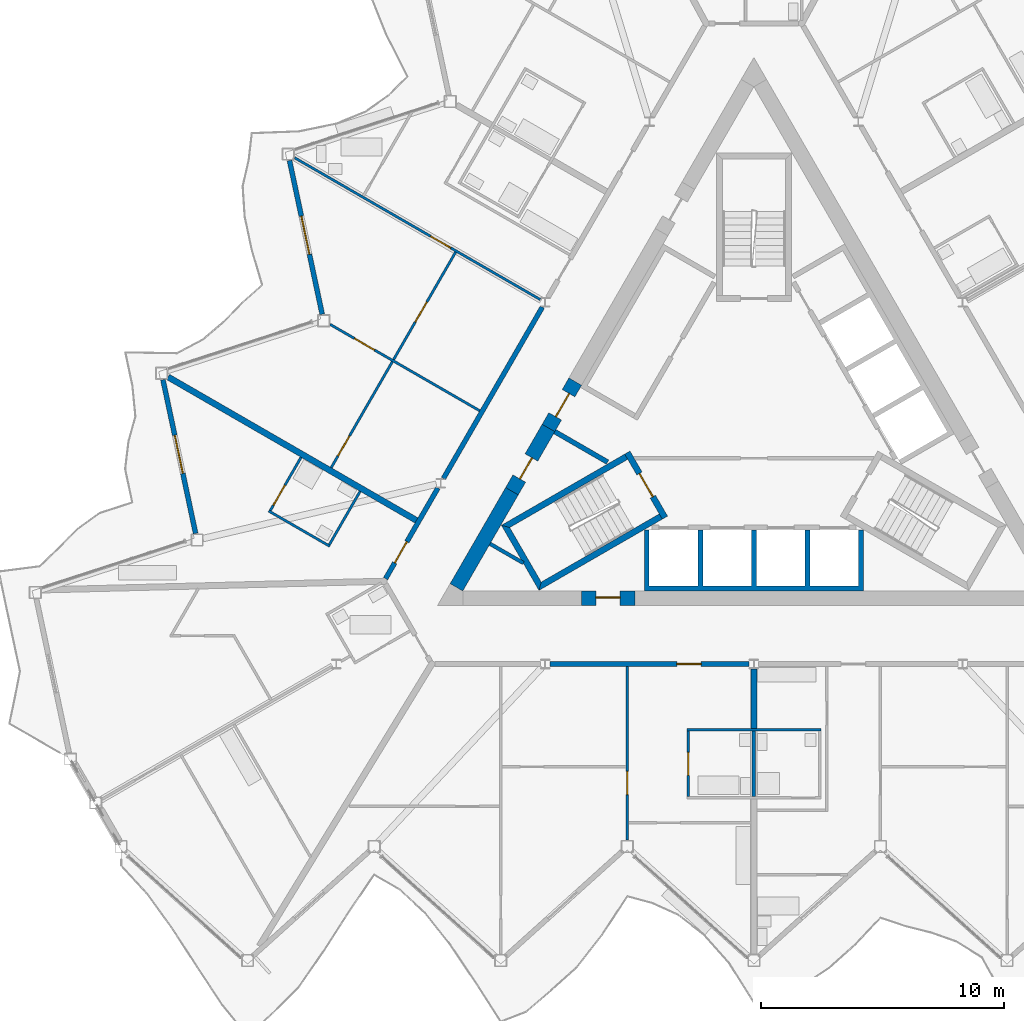
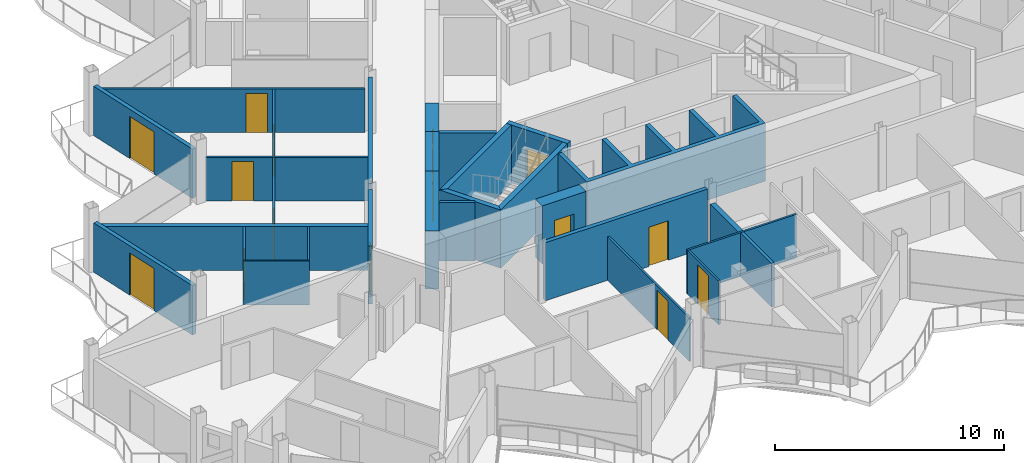
# One storey, part 13 of 26: 28 walls, 15 doors, 15 openings.
"""IFC4 building model written with IfcOpenShell, lengths in metres."""

from ifc_helpers import new_model, si_unit, direction, frame, frame_2d, origin, place, context, subcontext, project, spatial, polyline, rectangle, outline, extrude, material, layer, layer_set, type_object, element, fill, save


model = new_model("IFC4")

# Units and contexts
model_context = context("Model", 3, precision=1e-05, world=origin(), true_north=direction((0.0, 1.0)))
body_context = subcontext(model_context, "Body", "Model", "MODEL_VIEW")
ifc_project = project(units=[si_unit("LENGTHUNIT", "METRE"), si_unit("AREAUNIT", "SQUARE_METRE"), si_unit("VOLUMEUNIT", "CUBIC_METRE"), si_unit("PLANEANGLEUNIT", "RADIAN"), si_unit("MASSUNIT", "GRAM", prefix="KILO")], contexts=[model_context])

# Site, building, storey
site_placement = place(None, origin())
site = spatial("IfcSite", under=ifc_project, at=site_placement, CompositionType="ELEMENT")
building_placement = place(site_placement, origin())
building = spatial("IfcBuilding", under=site, at=building_placement, Name="Cormorant Prow Tower", CompositionType="ELEMENT")
storey_placement = place(building_placement, frame((0.0, 0.0, 398.39990234375)))
storey = spatial("IfcBuildingStorey", under=building, at=storey_placement, Name="L91", CompositionType="ELEMENT", Elevation=398.39990234375)

# Walls
ifc_material_1 = material(Name="Gypsum board partition")
ifc_layer_1 = layer(ifc_material_1, 0.14990234375)
ifc_layer_set_1 = layer_set([ifc_layer_1], Name="Gypsum board partition")
wall_type_1 = type_object("IfcWallType", Name="Core partition 150", PredefinedType="PARTITIONING", material=ifc_layer_set_1)
wall_1_placement = place(storey_placement, frame((-10.841796875, -4.96728515625, 0.0), z_axis=(0.0, 0.0, 1.0), x_axis=(0.866098216386, -0.499873863663, 0.0)))
element("IfcWall", 1, at=wall_1_placement, inside=storey, type_object=wall_type_1, Name="Service room partition", PredefinedType="PARTITIONING", context=body_context, shape_type="SweptSolid", body=[
    extrude(rectangle(XDim=1.58203125, YDim=0.14990234375, at=frame_2d((0.791015625, 0.0))), origin(), (0.0, 0.0, 1.0), 3.10009765625),
])
ifc_material_2 = material(Name="Concrete 8000 psi", Category="concrete")
ifc_layer_2 = layer(ifc_material_2, 0.60009765625)
ifc_layer_set_2 = layer_set([ifc_layer_2], Name="Concrete 8000 psi")
wall_type_2 = type_object("IfcWallType", Name="Core shear wall 600", PredefinedType="SHEAR", material=ifc_layer_set_2)
wall_2_placement = place(storey_placement, frame((-9.94091796875, -2.80712890625, 0.0), z_axis=(0.0, 0.0, 1.0), x_axis=(-0.500020646047, -0.866013483456, 0.0)))
element("IfcWall", 2, at=wall_2_placement, inside=storey, type_object=wall_type_2, Name="Core wall", PredefinedType="SHEAR", context=body_context, shape_type="SweptSolid", body=[
    extrude(rectangle(XDim=4.559326171875, YDim=0.60009765625, at=frame_2d((2.27978515625, 0.0))), origin(), (0.0, 0.0, 1.0), 3.10009765625),
])

# Wall, opening, door
wall_3_placement = place(storey_placement, frame((-7.09228515625, -7.20556640625, 0.0), z_axis=(0.0, 0.0, 1.0), x_axis=(1.0, 0.0, 0.0)))
wall_3 = element("IfcWall", 3, at=wall_3_placement, inside=storey, type_object=wall_type_2, Name="Core wall door panel", PredefinedType="SHEAR", context=body_context, shape_type="SweptSolid", body=[
    extrude(rectangle(XDim=2.2001953125, YDim=0.60009765625, at=frame_2d((1.10009765625, 0.0))), origin(), (0.0, 0.0, 1.0), 3.10009765625),
])
opening_1_placement = place(wall_3_placement, frame((0.60009765625, 0.0, 0.0)))
opening_1 = element("IfcOpeningElement", 4, at=opening_1_placement, cuts=wall_3, Name="Opening L91-C14", PredefinedType="OPENING", context=body_context, shape_type="SweptSolid", body=[
    extrude(rectangle(XDim=1.0, YDim=2.10009765625, at=frame_2d((0.5, 1.050048828125))), frame((0.0, 0.31005859375, 0.0), z_axis=(0.0, -1.0, 0.0), x_axis=(1.0, 0.0, 0.0)), (0.0, 0.0, 1.0), 0.6201171875),
])
ifc_material_3 = material(Name="Painted steel", Category="steel")
door_type_1 = type_object("IfcDoorType", Name="Service door 1000x2100", OperationType="NOTDEFINED", PredefinedType="DOOR", material=ifc_material_3)
door_1_placement = place(opening_1_placement, origin())
door_1 = element("IfcDoor", 5, at=door_1_placement, inside=storey, type_object=door_type_1, Name="Core door, Housekeeping store", OperationType="SINGLE_SWING_LEFT", OverallHeight=2.10009765625, OverallWidth=1.0, PredefinedType="DOOR", context=body_context, shape_type="SweptSolid", body=[
    extrude(rectangle(XDim=1.0, YDim=2.10009765625, at=frame_2d((0.5, 1.050048828125))), frame((0.0, 0.05517578125, 0.0), z_axis=(0.0, -1.0, 0.0), x_axis=(1.0, 0.0, 0.0)), (0.0, 0.0, 1.0), 0.050048828125),
])
fill(opening_1, door_1)

wall_4_placement = place(storey_placement, frame((-8.440185546875, -0.207763671875, 0.0), z_axis=(0.0, 0.0, 1.0), x_axis=(-0.499997052475, -0.866027105532, 0.0)))
wall_4 = element("IfcWall", 6, at=wall_4_placement, inside=storey, type_object=wall_type_2, Name="Core wall door panel", PredefinedType="SHEAR", context=body_context, shape_type="SweptSolid", body=[
    extrude(rectangle(XDim=3.00146484375, YDim=0.60009765625, at=frame_2d((1.500732421875, 0.0))), origin(), (0.0, 0.0, 1.0), 3.10009765625),
])
opening_2_placement = place(wall_4_placement, frame((1.39990234375, 0.0, 0.0)))
opening_2 = element("IfcOpeningElement", 7, at=opening_2_placement, cuts=wall_4, Name="Opening L91-C16", PredefinedType="OPENING", context=body_context, shape_type="SweptSolid", body=[
    extrude(rectangle(XDim=1.0, YDim=2.10009765625, at=frame_2d((0.5, 1.050048828125))), frame((0.0, 0.31005859375, 0.0), z_axis=(0.0, -1.0, 0.0), x_axis=(1.0, 0.0, 0.0)), (0.0, 0.0, 1.0), 0.6201171875),
])
door_2_placement = place(opening_2_placement, origin())
door_2 = element("IfcDoor", 8, at=door_2_placement, inside=storey, type_object=door_type_1, Name="Core door, Linen store", OperationType="SINGLE_SWING_RIGHT", OverallHeight=2.10009765625, OverallWidth=1.0, PredefinedType="DOOR", context=body_context, shape_type="SweptSolid", body=[
    extrude(rectangle(XDim=1.0, YDim=2.10009765625, at=frame_2d((0.5, 1.050048828125))), frame((0.0, 0.05517578125, 0.0), z_axis=(0.0, -1.0, 0.0), x_axis=(1.0, 0.0, 0.0)), (0.0, 0.0, 1.0), 0.050048828125),
])
fill(opening_2, door_2)

wall_5_placement = place(storey_placement, frame((-7.340087890625, 1.697509765625, 0.0), z_axis=(0.0, 0.0, 1.0), x_axis=(-0.50002983664, -0.866008176907, 0.0)))
wall_5 = element("IfcWall", 9, at=wall_5_placement, inside=storey, type_object=wall_type_2, Name="Core wall door panel", PredefinedType="SHEAR", context=body_context, shape_type="SweptSolid", body=[
    extrude(rectangle(XDim=2.199951171875, YDim=0.60009765625, at=frame_2d((1.10009765625, 0.0))), origin(), (0.0, 0.0, 1.0), 3.10009765625),
])
opening_3_placement = place(wall_5_placement, frame((0.550048828125, 0.0, 0.0)))
opening_3 = element("IfcOpeningElement", 10, at=opening_3_placement, cuts=wall_5, Name="Opening L91-C18", PredefinedType="OPENING", context=body_context, shape_type="SweptSolid", body=[
    extrude(rectangle(XDim=1.10009765625, YDim=2.10009765625, at=frame_2d((0.550048828125, 1.050048828125))), frame((0.0, 0.31005859375, 0.0), z_axis=(0.0, -1.0, 0.0), x_axis=(1.0, 0.0, 0.0)), (0.0, 0.0, 1.0), 0.6201171875),
])
ifc_material_4 = material(Name="Painted steel", Category="steel")
door_type_2 = type_object("IfcDoorType", Name="Core door 1100x2100", OperationType="NOTDEFINED", PredefinedType="DOOR", material=ifc_material_4)
door_3_placement = place(opening_3_placement, origin())
door_3 = element("IfcDoor", 11, at=door_3_placement, inside=storey, type_object=door_type_2, Name="Core door, lift lobby", OperationType="SINGLE_SWING_RIGHT", OverallHeight=2.10009765625, OverallWidth=1.10009765625, PredefinedType="DOOR", context=body_context, shape_type="SweptSolid", body=[
    extrude(rectangle(XDim=1.10009765625, YDim=2.10009765625, at=frame_2d((0.550048828125, 1.050048828125))), frame((0.0, 0.05517578125, 0.0), z_axis=(0.0, -1.0, 0.0), x_axis=(1.0, 0.0, 0.0)), (0.0, 0.0, 1.0), 0.050048828125),
])
fill(opening_3, door_3)

ifc_material_5 = material(Name="Gypsum board corridor wall")
ifc_layer_3 = layer(ifc_material_5, 0.199951171875)
ifc_layer_set_3 = layer_set([ifc_layer_3], Name="Gypsum board corridor wall")
wall_type_3 = type_object("IfcWallType", Name="Corridor wall 200", PredefinedType="PARTITIONING", material=ifc_layer_set_3)
wall_6_placement = place(storey_placement, frame((-8.381591796875, -9.905517578125, 0.0), z_axis=(0.0, 0.0, 1.0), x_axis=(1.0, 0.0, 0.0)))
wall_6 = element("IfcWall", 12, at=wall_6_placement, inside=storey, type_object=wall_type_3, Name="Corridor wall", PredefinedType="PARTITIONING", context=body_context, shape_type="SweptSolid", body=[
    extrude(rectangle(XDim=8.1845703125, YDim=0.199951171875, at=frame_2d((4.09228515625, 0.0))), origin(), (0.0, 0.0, 1.0), 3.10009765625),
])
opening_4_placement = place(wall_6_placement, frame((5.212646484375, 0.0, 0.0)))
opening_4 = element("IfcOpeningElement", 13, at=opening_4_placement, cuts=wall_6, Name="Opening L91-F01", PredefinedType="OPENING", context=body_context, shape_type="SweptSolid", body=[
    extrude(rectangle(XDim=1.0, YDim=2.10009765625, at=frame_2d((0.5, 1.050048828125))), frame((0.0, 0.10986328125, 0.0), z_axis=(0.0, -1.0, 0.0), x_axis=(1.0, 0.0, 0.0)), (0.0, 0.0, 1.0), 0.219970703125),
])
ifc_material_6 = material(Name="Timber door leaf", Category="wood")
door_type_3 = type_object("IfcDoorType", Name="Flat or room entrance door 1000x2100", OperationType="NOTDEFINED", PredefinedType="DOOR", material=ifc_material_6)
door_4_placement = place(opening_4_placement, origin())
door_4 = element("IfcDoor", 14, at=door_4_placement, inside=storey, type_object=door_type_3, Name="Living room door", OperationType="SINGLE_SWING_LEFT", OverallHeight=2.10009765625, OverallWidth=1.0, PredefinedType="DOOR", context=body_context, shape_type="SweptSolid", body=[
    extrude(rectangle(XDim=1.0, YDim=2.10009765625, at=frame_2d((0.5, 1.050048828125))), frame((0.0, 0.02490234375, 0.0), z_axis=(0.0, -1.0, 0.0), x_axis=(1.0, 0.0, 0.0)), (0.0, 0.0, 1.0), 0.050048828125),
])
fill(opening_4, door_4)

# Wall
wall_7_placement = place(storey_placement, frame((-12.75390625, -2.279296875, 0.0), z_axis=(0.0, 0.0, 1.0), x_axis=(0.500001682468, 0.866024432409, 0.0)))
element("IfcWall", 15, at=wall_7_placement, inside=storey, type_object=wall_type_3, Name="Corridor wall", PredefinedType="PARTITIONING", context=body_context, shape_type="SweptSolid", body=[
    extrude(rectangle(XDim=8.12353515625, YDim=0.199951171875, at=frame_2d((4.061767578125, 0.0))), origin(), (0.0, 0.0, 1.0), 3.10009765625),
])

# Wall, opening, door
wall_8_placement = place(storey_placement, frame((-15.13134765625, -6.397216796875, 0.0), z_axis=(0.0, 0.0, 1.0), x_axis=(0.499986217557, 0.866033360935, 0.0)))
wall_8 = element("IfcWall", 16, at=wall_8_placement, inside=storey, type_object=wall_type_3, Name="Corridor wall", PredefinedType="PARTITIONING", context=body_context, shape_type="SweptSolid", body=[
    extrude(rectangle(XDim=4.2998046875, YDim=0.199951171875, at=frame_2d((2.14990234375, 0.0))), origin(), (0.0, 0.0, 1.0), 3.10009765625),
])
opening_5_placement = place(wall_8_placement, frame((0.75, 0.0, 0.0)))
opening_5 = element("IfcOpeningElement", 17, at=opening_5_placement, cuts=wall_8, Name="Opening L91-F52", PredefinedType="OPENING", context=body_context, shape_type="SweptSolid", body=[
    extrude(rectangle(XDim=1.0, YDim=2.10009765625, at=frame_2d((0.5, 1.050048828125))), frame((0.0, 0.10986328125, 0.0), z_axis=(0.0, -1.0, 0.0), x_axis=(1.0, 0.0, 0.0)), (0.0, 0.0, 1.0), 0.219970703125),
])
door_5_placement = place(opening_5_placement, origin())
door_5 = element("IfcDoor", 18, at=door_5_placement, inside=storey, type_object=door_type_3, Name="Studio living, kitchen and sleeping room door", OperationType="SINGLE_SWING_RIGHT", OverallHeight=2.10009765625, OverallWidth=1.0, PredefinedType="DOOR", context=body_context, shape_type="SweptSolid", body=[
    extrude(rectangle(XDim=1.0, YDim=2.10009765625, at=frame_2d((0.5, 1.050048828125))), frame((0.0, 0.02490234375, 0.0), z_axis=(0.0, -1.0, 0.0), x_axis=(1.0, 0.0, 0.0)), (0.0, 0.0, 1.0), 0.050048828125),
])
fill(opening_5, door_5)

ifc_material_7 = material(Name="Gypsum board partition")
ifc_layer_4 = layer(ifc_material_7, 0.10009765625)
ifc_layer_set_4 = layer_set([ifc_layer_4], Name="Gypsum board partition")
wall_type_4 = type_object("IfcWallType", Name="Internal partition 100", PredefinedType="PARTITIONING", material=ifc_layer_set_4)
wall_9_placement = place(storey_placement, frame((-18.86865234375, 10.893798828125, 0.0), z_axis=(0.0, 0.0, 1.0), x_axis=(0.866023724155, -0.500002909193, 0.0)))
wall_9 = element("IfcWall", 19, at=wall_9_placement, inside=storey, type_object=wall_type_4, Name="Internal partition", PredefinedType="PARTITIONING", context=body_context, shape_type="SweptSolid", body=[
    extrude(rectangle(XDim=11.65478515625, YDim=0.10009765625, at=frame_2d((5.827392578125, 0.0))), origin(), (0.0, 0.0, 1.0), 2.330078125),
])
opening_6_placement = place(wall_9_placement, frame((6.452880859375, 0.0, 0.0)))
opening_6 = element("IfcOpeningElement", 20, at=opening_6_placement, cuts=wall_9, Name="Opening L91-F47", PredefinedType="OPENING", context=body_context, shape_type="SweptSolid", body=[
    extrude(rectangle(XDim=0.949951171875, YDim=2.10009765625, at=frame_2d((0.47509765625, 1.050048828125))), frame((0.0, 0.06005859375, 0.0), z_axis=(0.0, -1.0, 0.0), x_axis=(1.0, 0.0, 0.0)), (0.0, 0.0, 1.0), 0.1201171875),
])
ifc_material_8 = material(Name="Timber door leaf", Category="wood")
door_type_4 = type_object("IfcDoorType", Name="Bathroom door 950x2100", OperationType="NOTDEFINED", PredefinedType="DOOR", material=ifc_material_8)
door_6_placement = place(opening_6_placement, origin())
door_6 = element("IfcDoor", 21, at=door_6_placement, inside=storey, type_object=door_type_4, Name="Living room door", OperationType="SINGLE_SWING_RIGHT", OverallHeight=2.10009765625, OverallWidth=0.949951171875, PredefinedType="DOOR", context=body_context, shape_type="SweptSolid", body=[
    extrude(rectangle(XDim=0.949951171875, YDim=2.10009765625, at=frame_2d((0.47509765625, 1.050048828125))), frame((0.0, 0.02490234375, 0.0), z_axis=(0.0, -1.0, 0.0), x_axis=(1.0, 0.0, 0.0)), (0.0, 0.0, 1.0), 0.050048828125),
])
fill(opening_6, door_6)

# Wall, openings, doors
wall_10_placement = place(storey_placement, frame((-17.366455078125, -1.838134765625, 0.0), z_axis=(0.0, 0.0, 1.0), x_axis=(0.499998717582, 0.866026144187, 0.0)))
wall_10 = element("IfcWall", 22, at=wall_10_placement, inside=storey, type_object=wall_type_4, Name="Internal partition", PredefinedType="PARTITIONING", context=body_context, shape_type="SweptSolid", body=[
    extrude(rectangle(XDim=10.22509765625, YDim=0.10009765625, at=frame_2d((5.112548828125, 0.0))), origin(), (0.0, 0.0, 1.0), 2.330078125),
])
opening_7_placement = place(wall_10_placement, frame((6.906982421875, 0.0, 0.0)))
opening_7 = element("IfcOpeningElement", 23, at=opening_7_placement, cuts=wall_10, Name="Opening L91-F48", PredefinedType="OPENING", context=body_context, shape_type="SweptSolid", body=[
    extrude(rectangle(XDim=0.949951171875, YDim=2.10009765625, at=frame_2d((0.47509765625, 1.050048828125))), frame((0.0, 0.06005859375, 0.0), z_axis=(0.0, -1.0, 0.0), x_axis=(1.0, 0.0, 0.0)), (0.0, 0.0, 1.0), 0.1201171875),
])
opening_8_placement = place(wall_10_placement, frame((0.552490234375, 0.0, 0.0)))
opening_8 = element("IfcOpeningElement", 24, at=opening_8_placement, cuts=wall_10, Name="Opening L91-F50", PredefinedType="OPENING", context=body_context, shape_type="SweptSolid", body=[
    extrude(rectangle(XDim=0.949951171875, YDim=2.10009765625, at=frame_2d((0.47509765625, 1.050048828125))), frame((0.0, 0.06005859375, 0.0), z_axis=(0.0, -1.0, 0.0), x_axis=(1.0, 0.0, 0.0)), (0.0, 0.0, 1.0), 0.1201171875),
])
door_7_placement = place(opening_7_placement, origin())
door_7 = element("IfcDoor", 25, at=door_7_placement, inside=storey, type_object=door_type_4, Name="Bedroom door", OperationType="SINGLE_SWING_LEFT", OverallHeight=2.10009765625, OverallWidth=0.949951171875, PredefinedType="DOOR", context=body_context, shape_type="SweptSolid", body=[
    extrude(rectangle(XDim=0.949951171875, YDim=2.10009765625, at=frame_2d((0.47509765625, 1.050048828125))), frame((0.0, 0.02490234375, 0.0), z_axis=(0.0, -1.0, 0.0), x_axis=(1.0, 0.0, 0.0)), (0.0, 0.0, 1.0), 0.050048828125),
])
fill(opening_7, door_7)
door_8_placement = place(opening_8_placement, origin())
door_8 = element("IfcDoor", 26, at=door_8_placement, inside=storey, type_object=door_type_4, Name="Bedroom door", OperationType="SINGLE_SWING_LEFT", OverallHeight=2.10009765625, OverallWidth=0.949951171875, PredefinedType="DOOR", context=body_context, shape_type="SweptSolid", body=[
    extrude(rectangle(XDim=0.949951171875, YDim=2.10009765625, at=frame_2d((0.47509765625, 1.050048828125))), frame((0.0, 0.02490234375, 0.0), z_axis=(0.0, -1.0, 0.0), x_axis=(1.0, 0.0, 0.0)), (0.0, 0.0, 1.0), 0.050048828125),
])
fill(opening_8, door_8)

# Wall, opening, door
wall_11_placement = place(storey_placement, frame((-5.199951171875, -17.145751953125, 0.0), z_axis=(0.0, 0.0, 1.0), x_axis=(0.0, 1.0, 0.0)))
wall_11 = element("IfcWall", 27, at=wall_11_placement, inside=storey, type_object=wall_type_4, Name="Internal partition", PredefinedType="PARTITIONING", context=body_context, shape_type="SweptSolid", body=[
    extrude(rectangle(XDim=7.14013671875, YDim=0.10009765625, at=frame_2d((3.570068359375, 0.0))), origin(), (0.0, 0.0, 1.0), 2.330078125),
])
opening_9_placement = place(wall_11_placement, frame((1.875732421875, 0.0, 0.0)))
opening_9 = element("IfcOpeningElement", 28, at=opening_9_placement, cuts=wall_11, Name="Opening L91-F04", PredefinedType="OPENING", context=body_context, shape_type="SweptSolid", body=[
    extrude(rectangle(XDim=0.949951171875, YDim=2.10009765625, at=frame_2d((0.47509765625, 1.050048828125))), frame((0.0, 0.06005859375, 0.0), z_axis=(0.0, -1.0, 0.0), x_axis=(1.0, 0.0, 0.0)), (0.0, 0.0, 1.0), 0.1201171875),
])
door_9_placement = place(opening_9_placement, origin())
door_9 = element("IfcDoor", 29, at=door_9_placement, inside=storey, type_object=door_type_4, Name="Living room door", OperationType="SINGLE_SWING_RIGHT", OverallHeight=2.10009765625, OverallWidth=0.949951171875, PredefinedType="DOOR", context=body_context, shape_type="SweptSolid", body=[
    extrude(rectangle(XDim=0.949951171875, YDim=2.10009765625, at=frame_2d((0.47509765625, 1.050048828125))), frame((0.0, 0.02490234375, 0.0), z_axis=(0.0, -1.0, 0.0), x_axis=(1.0, 0.0, 0.0)), (0.0, 0.0, 1.0), 0.050048828125),
])
fill(opening_9, door_9)

wall_12_placement = place(storey_placement, frame((-17.413818359375, 4.04931640625, 0.0), z_axis=(0.0, 0.0, 1.0), x_axis=(0.866033839264, -0.499985389037, 0.0)))
wall_12 = element("IfcWall", 30, at=wall_12_placement, inside=storey, type_object=wall_type_4, Name="Internal partition", PredefinedType="PARTITIONING", context=body_context, shape_type="SweptSolid", body=[
    extrude(rectangle(XDim=7.099853515625, YDim=0.10009765625, at=frame_2d((3.5498046875, 0.0))), origin(), (0.0, 0.0, 1.0), 2.330078125),
])
opening_10_placement = place(wall_12_placement, frame((1.157958984375, 0.0, 0.0)))
opening_10 = element("IfcOpeningElement", 31, at=opening_10_placement, cuts=wall_12, Name="Opening L91-F49", PredefinedType="OPENING", context=body_context, shape_type="SweptSolid", body=[
    extrude(rectangle(XDim=0.949951171875, YDim=2.10009765625, at=frame_2d((0.47509765625, 1.050048828125))), frame((0.0, 0.06005859375, 0.0), z_axis=(0.0, -1.0, 0.0), x_axis=(1.0, 0.0, 0.0)), (0.0, 0.0, 1.0), 0.1201171875),
])
door_10_placement = place(opening_10_placement, origin())
door_10 = element("IfcDoor", 32, at=door_10_placement, inside=storey, type_object=door_type_4, Name="Bedroom door", OperationType="SINGLE_SWING_RIGHT", OverallHeight=2.10009765625, OverallWidth=0.949951171875, PredefinedType="DOOR", context=body_context, shape_type="SweptSolid", body=[
    extrude(rectangle(XDim=0.949951171875, YDim=2.10009765625, at=frame_2d((0.47509765625, 1.050048828125))), frame((0.0, 0.02490234375, 0.0), z_axis=(0.0, -1.0, 0.0), x_axis=(1.0, 0.0, 0.0)), (0.0, 0.0, 1.0), 0.050048828125),
])
fill(opening_10, door_10)

# Walls
wall_13_placement = place(storey_placement, frame((-2.75, -12.605712890625, 0.0), z_axis=(0.0, 0.0, 1.0), x_axis=(1.0, 0.0, 0.0)))
element("IfcWall", 33, at=wall_13_placement, inside=storey, type_object=wall_type_4, Name="Internal partition", PredefinedType="PARTITIONING", context=body_context, shape_type="SweptSolid", body=[
    extrude(rectangle(XDim=5.5, YDim=0.10009765625, at=frame_2d((2.75, 0.0))), origin(), (0.0, 0.0, 1.0), 2.330078125),
])
wall_14_placement = place(storey_placement, frame((-19.934814453125, -3.6171875, 0.0), z_axis=(0.0, 0.0, 1.0), x_axis=(0.866032775405, -0.499987231761, 0.0)))
element("IfcWall", 34, at=wall_14_placement, inside=storey, type_object=wall_type_4, Name="Internal partition", PredefinedType="PARTITIONING", context=body_context, shape_type="SweptSolid", body=[
    extrude(rectangle(XDim=2.89990234375, YDim=0.10009765625, at=frame_2d((1.449951171875, 0.0))), origin(), (0.0, 0.0, 1.0), 2.330078125),
])

# Wall, opening, door
wall_15_placement = place(storey_placement, frame((-2.699951171875, -15.355712890625, 0.0), z_axis=(0.0, 0.0, 1.0), x_axis=(0.0, 1.0, 0.0)))
wall_15 = element("IfcWall", 35, at=wall_15_placement, inside=storey, type_object=wall_type_4, Name="Internal partition", PredefinedType="PARTITIONING", context=body_context, shape_type="SweptSolid", body=[
    extrude(rectangle(XDim=2.7001953125, YDim=0.10009765625, at=frame_2d((1.35009765625, 0.0))), origin(), (0.0, 0.0, 1.0), 2.330078125),
])
opening_11_placement = place(wall_15_placement, frame((0.875, 0.0, 0.0)))
opening_11 = element("IfcOpeningElement", 36, at=opening_11_placement, cuts=wall_15, Name="Opening L91-F02", PredefinedType="OPENING", context=body_context, shape_type="SweptSolid", body=[
    extrude(rectangle(XDim=0.949951171875, YDim=2.10009765625, at=frame_2d((0.47509765625, 1.050048828125))), frame((0.0, 0.06005859375, 0.0), z_axis=(0.0, -1.0, 0.0), x_axis=(1.0, 0.0, 0.0)), (0.0, 0.0, 1.0), 0.1201171875),
])
door_11_placement = place(opening_11_placement, origin())
door_11 = element("IfcDoor", 37, at=door_11_placement, inside=storey, type_object=door_type_4, Name="Living room door", OperationType="SINGLE_SWING_LEFT", OverallHeight=2.10009765625, OverallWidth=0.949951171875, PredefinedType="DOOR", context=body_context, shape_type="SweptSolid", body=[
    extrude(rectangle(XDim=0.949951171875, YDim=2.10009765625, at=frame_2d((0.47509765625, 1.050048828125))), frame((0.0, 0.02490234375, 0.0), z_axis=(0.0, -1.0, 0.0), x_axis=(1.0, 0.0, 0.0)), (0.0, 0.0, 1.0), 0.050048828125),
])
fill(opening_11, door_11)

# Wall
wall_16_placement = place(storey_placement, frame((-17.441650390625, -4.998779296875, 0.0), z_axis=(0.0, 0.0, 1.0), x_axis=(0.499976333282, 0.866039067339, 0.0)))
element("IfcWall", 38, at=wall_16_placement, inside=storey, type_object=wall_type_4, Name="Internal partition", PredefinedType="PARTITIONING", context=body_context, shape_type="SweptSolid", body=[
    extrude(rectangle(XDim=2.52490234375, YDim=0.10009765625, at=frame_2d((1.262451171875, 0.0))), origin(), (0.0, 0.0, 1.0), 2.330078125),
])

# Wall, opening, door
wall_17_placement = place(storey_placement, frame((-19.86669921875, -3.598876953125, 0.0), z_axis=(0.0, 0.0, 1.0), x_axis=(0.500048846702, 0.865997200291, 0.0)))
wall_17 = element("IfcWall", 39, at=wall_17_placement, inside=storey, type_object=wall_type_4, Name="Internal partition", PredefinedType="PARTITIONING", context=body_context, shape_type="SweptSolid", body=[
    extrude(rectangle(XDim=2.525146484375, YDim=0.10009765625, at=frame_2d((1.2626953125, 0.0))), origin(), (0.0, 0.0, 1.0), 2.330078125),
])
opening_12_placement = place(wall_17_placement, frame((0.25, 0.0, 0.0)))
opening_12 = element("IfcOpeningElement", 40, at=opening_12_placement, cuts=wall_17, Name="Opening L91-F53", PredefinedType="OPENING", context=body_context, shape_type="SweptSolid", body=[
    extrude(rectangle(XDim=0.949951171875, YDim=2.10009765625, at=frame_2d((0.47509765625, 1.050048828125))), frame((0.0, 0.06005859375, 0.0), z_axis=(0.0, -1.0, 0.0), x_axis=(1.0, 0.0, 0.0)), (0.0, 0.0, 1.0), 0.1201171875),
])
door_12_placement = place(opening_12_placement, origin())
door_12 = element("IfcDoor", 41, at=door_12_placement, inside=storey, type_object=door_type_4, Name="Studio living, kitchen and sleeping room door", OperationType="SINGLE_SWING_LEFT", OverallHeight=2.10009765625, OverallWidth=0.949951171875, PredefinedType="DOOR", context=body_context, shape_type="SweptSolid", body=[
    extrude(rectangle(XDim=0.949951171875, YDim=2.10009765625, at=frame_2d((0.47509765625, 1.050048828125))), frame((0.0, 0.02490234375, 0.0), z_axis=(0.0, -1.0, 0.0), x_axis=(1.0, 0.0, 0.0)), (0.0, 0.0, 1.0), 0.050048828125),
])
fill(opening_12, door_12)

# Walls
ifc_material_9 = material(Name="Concrete 8000 psi", Category="concrete")
ifc_layer_5 = layer(ifc_material_9, 0.199951171875)
ifc_layer_set_5 = layer_set([ifc_layer_5], Name="Concrete 8000 psi")
wall_type_5 = type_object("IfcWallType", Name="Lift shaft wall 200", PredefinedType="SHEAR", material=ifc_layer_set_5)
wall_18_placement = place(storey_placement, origin())
element("IfcWall", 42, at=wall_18_placement, inside=storey, type_object=wall_type_5, Name="Lift shaft walls, S block", PredefinedType="SHEAR", context=body_context, shape_type="SweptSolid", body=[
    extrude(outline(polyline([(4.5, -4.39990234375), (4.5, -6.906005859375), (-4.5, -6.906005859375), (-4.5, -4.39990234375), (-4.300048828125, -4.39990234375), (-4.300048828125, -6.699951171875), (-2.300048828125, -6.699951171875), (-2.300048828125, -4.39990234375), (-2.10009765625, -4.39990234375), (-2.10009765625, -6.699951171875), (-0.10009765625, -6.699951171875), (-0.10009765625, -4.39990234375), (0.10009765625, -4.39990234375), (0.10009765625, -6.699951171875), (2.10009765625, -6.699951171875), (2.10009765625, -4.39990234375), (2.300048828125, -4.39990234375), (2.300048828125, -6.699951171875), (4.300048828125, -6.699951171875), (4.300048828125, -4.39990234375), (4.5, -4.39990234375)])), origin(), (0.0, 0.0, 1.0), 3.10009765625),
])
wall_19_placement = place(storey_placement, origin())
element("IfcWall", 43, at=wall_19_placement, inside=storey, type_object=wall_type_5, Name="Lift shaft walls, WNW block", PredefinedType="SHEAR", context=body_context, shape_type="SweptSolid", body=[
    extrude(outline(polyline([(-6.060546875, -1.697021484375), (-8.230712890625, -0.444091796875), (-8.130859375, -0.27099609375), (-5.96044921875, -1.52392578125), (-6.060546875, -1.697021484375)])), origin(), (0.0, 0.0, 1.0), 3.10009765625),
])
ifc_material_10 = material(Name="Concrete 8000 psi", Category="concrete")
ifc_layer_6 = layer(ifc_material_10, 0.25)
ifc_layer_set_6 = layer_set([ifc_layer_6], Name="Concrete 8000 psi")
wall_type_6 = type_object("IfcWallType", Name="Stair wall 250", PredefinedType="SHEAR", material=ifc_layer_set_6)
wall_20_placement = place(storey_placement, origin())
element("IfcWall", 44, at=wall_20_placement, inside=storey, type_object=wall_type_6, Name="Stair ST1 enclosure wall (flank)", PredefinedType="SHEAR", context=body_context, shape_type="SweptSolid", body=[
    extrude(outline(polyline([(-5.30712890625, -1.28125), (-10.37353515625, -4.206298828125), (-10.031982421875, -4.2978515625), (-5.18212890625, -1.497802734375), (-5.30712890625, -1.28125)])), origin(), (0.0, 0.0, 1.0), 3.10009765625),
])
wall_21_placement = place(storey_placement, origin())
element("IfcWall", 45, at=wall_21_placement, inside=storey, type_object=wall_type_6, Name="Stair ST1 enclosure wall (end)", PredefinedType="SHEAR", context=body_context, shape_type="SweptSolid", body=[
    extrude(outline(polyline([(-10.37353515625, -4.206298828125), (-8.82958984375, -6.880615234375), (-8.738037109375, -6.5390625), (-10.031982421875, -4.2978515625), (-10.37353515625, -4.206298828125)])), origin(), (0.0, 0.0, 1.0), 3.10009765625),
])
wall_22_placement = place(storey_placement, origin())
element("IfcWall", 46, at=wall_22_placement, inside=storey, type_object=wall_type_6, Name="Stair ST1 enclosure wall (flank)", PredefinedType="SHEAR", context=body_context, shape_type="SweptSolid", body=[
    extrude(outline(polyline([(-8.738037109375, -6.5390625), (-8.82958984375, -6.880615234375), (-3.76318359375, -3.95556640625), (-3.88818359375, -3.739013671875), (-8.738037109375, -6.5390625)])), origin(), (0.0, 0.0, 1.0), 3.10009765625),
])

# Wall, opening, door
wall_23_placement = place(storey_placement, frame((-5.198974609375, -1.21875, 0.0), z_axis=(0.0, 0.0, 1.0), x_axis=(0.499982516597, -0.866035497597, 0.0)))
wall_23 = element("IfcWall", 47, at=wall_23_placement, inside=storey, type_object=wall_type_6, Name="Stair ST1 door wall", PredefinedType="SHEAR", context=body_context, shape_type="SweptSolid", body=[
    extrude(rectangle(XDim=3.087890625, YDim=0.25, at=frame_2d((1.5439453125, 0.0))), origin(), (0.0, 0.0, 1.0), 3.10009765625),
])
opening_13_placement = place(wall_23_placement, frame((0.993896484375, 0.0, 0.0)))
opening_13 = element("IfcOpeningElement", 48, at=opening_13_placement, cuts=wall_23, Name="Opening L91-C11", PredefinedType="OPENING", context=body_context, shape_type="SweptSolid", body=[
    extrude(rectangle(XDim=1.10009765625, YDim=2.10009765625, at=frame_2d((0.550048828125, 1.050048828125))), frame((0.0, 0.135009765625, 0.0), z_axis=(0.0, -1.0, 0.0), x_axis=(1.0, 0.0, 0.0)), (0.0, 0.0, 1.0), 0.27001953125),
])
ifc_material_11 = material(Name="Painted steel", Category="steel")
door_type_5 = type_object("IfcDoorType", Name="Stair door 1100x2100", OperationType="NOTDEFINED", PredefinedType="DOOR", material=ifc_material_11)
door_13_placement = place(opening_13_placement, origin())
door_13 = element("IfcDoor", 49, at=door_13_placement, inside=storey, type_object=door_type_5, Name="Stair ST1 door", OperationType="SINGLE_SWING_LEFT", OverallHeight=2.10009765625, OverallWidth=1.10009765625, PredefinedType="DOOR", context=body_context, shape_type="SweptSolid", body=[
    extrude(rectangle(XDim=1.10009765625, YDim=2.10009765625, at=frame_2d((0.550048828125, 1.050048828125))), frame((0.0, 0.02490234375, 0.0), z_axis=(0.0, -1.0, 0.0), x_axis=(1.0, 0.0, 0.0)), (0.0, 0.0, 1.0), 0.050048828125),
])
fill(opening_13, door_13)

# Walls
ifc_material_12 = material(Name="Acoustic gypsum party wall")
ifc_layer_7 = layer(ifc_material_12, 0.25)
ifc_layer_set_7 = layer_set([ifc_layer_7], Name="Acoustic gypsum party wall")
wall_type_7 = type_object("IfcWallType", Name="Suite party wall 250", PredefinedType="PARTITIONING", material=ifc_layer_set_7)
wall_24_placement = place(storey_placement, frame((-24.068603515625, 1.88720703125, 0.0), z_axis=(0.0, 0.0, 1.0), x_axis=(0.866023404247, -0.500003463284, 0.0)))
element("IfcWall", 50, at=wall_24_placement, inside=storey, type_object=wall_type_7, Name="Suite party wall", PredefinedType="PARTITIONING", context=body_context, shape_type="SweptSolid", body=[
    extrude(rectangle(XDim=11.7822265625, YDim=0.25, at=frame_2d((5.89111328125, 0.0))), origin(), (0.0, 0.0, 1.0), 2.330078125),
])
wall_25_placement = place(storey_placement, frame((0.0, -12.5556640625, 0.0), z_axis=(0.0, 0.0, 1.0), x_axis=(0.0, 1.0, 0.0)))
element("IfcWall", 51, at=wall_25_placement, inside=storey, type_object=wall_type_7, Name="Suite party wall", PredefinedType="PARTITIONING", context=body_context, shape_type="SweptSolid", body=[
    extrude(rectangle(XDim=2.453125, YDim=0.25, at=frame_2d((1.2265625, 0.0))), origin(), (0.0, 0.0, 1.0), 2.330078125),
])

# Wall, opening, door
ifc_material_13 = material(Name="Terracotta", Category="masonry")
ifc_layer_8 = layer(ifc_material_13, 0.199951171875)
ifc_layer_set_8 = layer_set([ifc_layer_8], Name="Terracotta")
wall_type_8 = type_object("IfcWallType", Name="Terracotta jamb wall 200", PredefinedType="SOLIDWALL", material=ifc_layer_set_8)
wall_26_placement = place(storey_placement, frame((-19.07861328125, 10.7783203125, 0.0), z_axis=(0.0, 0.0, 1.0), x_axis=(0.207888166349, -0.978152600718, 0.0)))
wall_26 = element("IfcWall", 52, at=wall_26_placement, inside=storey, type_object=wall_type_8, Name="Terracotta jamb wall WNW05", PredefinedType="SOLIDWALL", context=body_context, shape_type="SweptSolid", body=[
    extrude(rectangle(XDim=6.453125, YDim=0.199951171875, at=frame_2d((3.2265625, 0.0))), origin(), (0.0, 0.0, 1.0), 2.634033203125),
])
opening_14_placement = place(wall_26_placement, frame((2.332763671875, 0.0, 0.0)))
opening_14 = element("IfcOpeningElement", 53, at=opening_14_placement, cuts=wall_26, Name="Opening ED91.13", PredefinedType="OPENING", context=body_context, shape_type="SweptSolid", body=[
    extrude(rectangle(XDim=1.60009765625, YDim=2.25, at=frame_2d((0.800048828125, 1.125))), frame((0.0, 0.10986328125, 0.0), z_axis=(0.0, -1.0, 0.0), x_axis=(1.0, 0.0, 0.0)), (0.0, 0.0, 1.0), 0.219970703125),
])
ifc_material_14 = material(Name="Aluminium 6063-T6", Category="aluminium")
door_type_6 = type_object("IfcDoorType", Name="Balcony door 1600x2250", OperationType="DOUBLE_DOOR_SINGLE_SWING", PredefinedType="DOOR", material=ifc_material_14)
door_14_placement = place(opening_14_placement, origin())
door_14 = element("IfcDoor", 54, at=door_14_placement, inside=storey, type_object=door_type_6, Name="Balcony door WNW05 ED91.13", OperationType="DOUBLE_DOOR_SINGLE_SWING", OverallHeight=2.25, OverallWidth=1.60009765625, PredefinedType="DOOR", context=body_context, shape_type="SweptSolid", body=[
    extrude(rectangle(XDim=1.60009765625, YDim=2.25, at=frame_2d((0.800048828125, 1.125))), frame((0.0, 0.02490234375, 0.0), z_axis=(0.0, -1.0, 0.0), x_axis=(1.0, 0.0, 0.0)), (0.0, 0.0, 1.0), 0.050048828125),
])
fill(opening_14, door_14)

wall_27_placement = place(storey_placement, frame((-24.27880859375, 1.771728515625, 0.0), z_axis=(0.0, 0.0, 1.0), x_axis=(0.207924363149, -0.978144907061, 0.0)))
wall_27 = element("IfcWall", 55, at=wall_27_placement, inside=storey, type_object=wall_type_8, Name="Terracotta jamb wall WNW07", PredefinedType="SOLIDWALL", context=body_context, shape_type="SweptSolid", body=[
    extrude(rectangle(XDim=6.453369140625, YDim=0.199951171875, at=frame_2d((3.2265625, 0.0))), origin(), (0.0, 0.0, 1.0), 2.634033203125),
])
opening_15_placement = place(wall_27_placement, frame((2.332763671875, 0.0, 0.0)))
opening_15 = element("IfcOpeningElement", 56, at=opening_15_placement, cuts=wall_27, Name="Opening ED91.14", PredefinedType="OPENING", context=body_context, shape_type="SweptSolid", body=[
    extrude(rectangle(XDim=1.60009765625, YDim=2.25, at=frame_2d((0.800048828125, 1.125))), frame((0.0, 0.10986328125, 0.0), z_axis=(0.0, -1.0, 0.0), x_axis=(1.0, 0.0, 0.0)), (0.0, 0.0, 1.0), 0.219970703125),
])
door_15_placement = place(opening_15_placement, origin())
door_15 = element("IfcDoor", 57, at=door_15_placement, inside=storey, type_object=door_type_6, Name="Balcony door WNW07 ED91.14", OperationType="DOUBLE_DOOR_SINGLE_SWING", OverallHeight=2.25, OverallWidth=1.60009765625, PredefinedType="DOOR", context=body_context, shape_type="SweptSolid", body=[
    extrude(rectangle(XDim=1.60009765625, YDim=2.25, at=frame_2d((0.800048828125, 1.125))), frame((0.0, 0.02490234375, 0.0), z_axis=(0.0, -1.0, 0.0), x_axis=(1.0, 0.0, 0.0)), (0.0, 0.0, 1.0), 0.050048828125),
])
fill(opening_15, door_15)

# Wall
ifc_material_15 = material(Name="Plasterboard wet wall with pipe chase")
ifc_layer_9 = layer(ifc_material_15, 0.14990234375)
ifc_layer_set_9 = layer_set([ifc_layer_9], Name="Plasterboard wet wall with pipe chase")
wall_type_9 = type_object("IfcWallType", Name="Wet wall 150", PredefinedType="PLUMBINGWALL", material=ifc_layer_set_9)
wall_28_placement = place(storey_placement, frame((0.0, -15.355712890625, 0.0), z_axis=(0.0, 0.0, 1.0), x_axis=(0.0, 1.0, 0.0)))
element("IfcWall", 58, at=wall_28_placement, inside=storey, type_object=wall_type_9, Name="Wet wall", PredefinedType="PLUMBINGWALL", context=body_context, shape_type="SweptSolid", body=[
    extrude(rectangle(XDim=2.7001953125, YDim=0.14990234375, at=frame_2d((1.35009765625, 0.0))), origin(), (0.0, 0.0, 1.0), 2.330078125),
])

save(model, "model.ifc")
